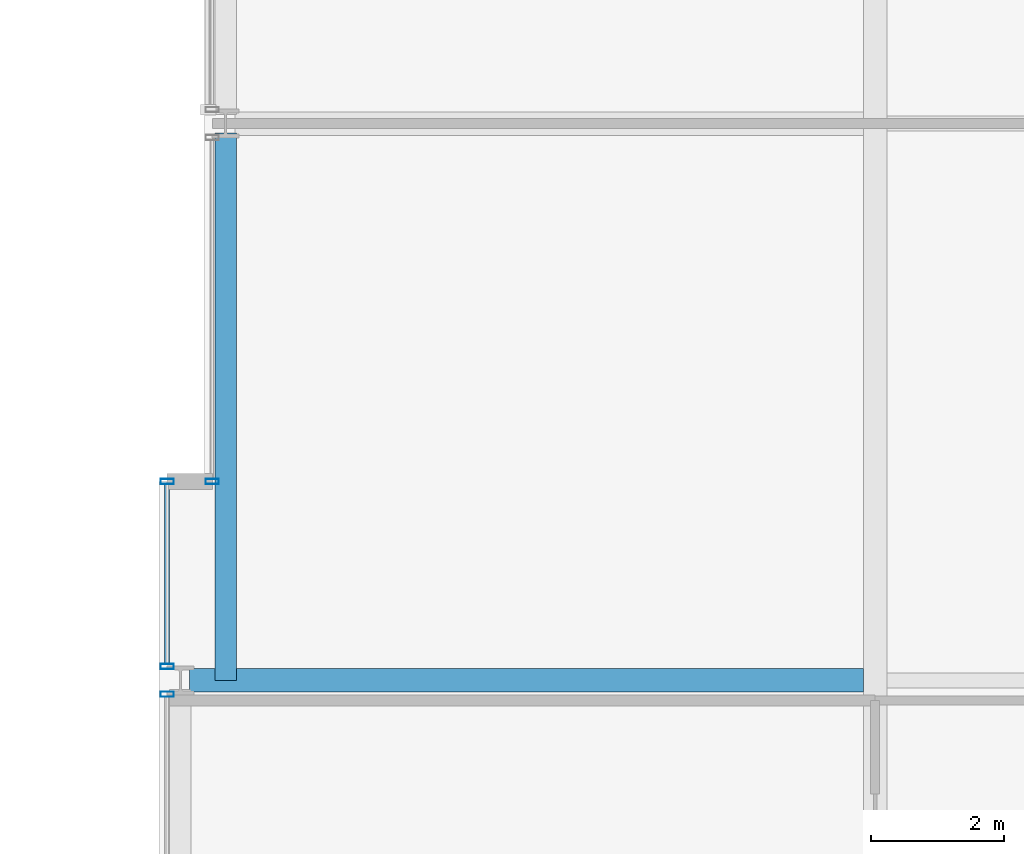
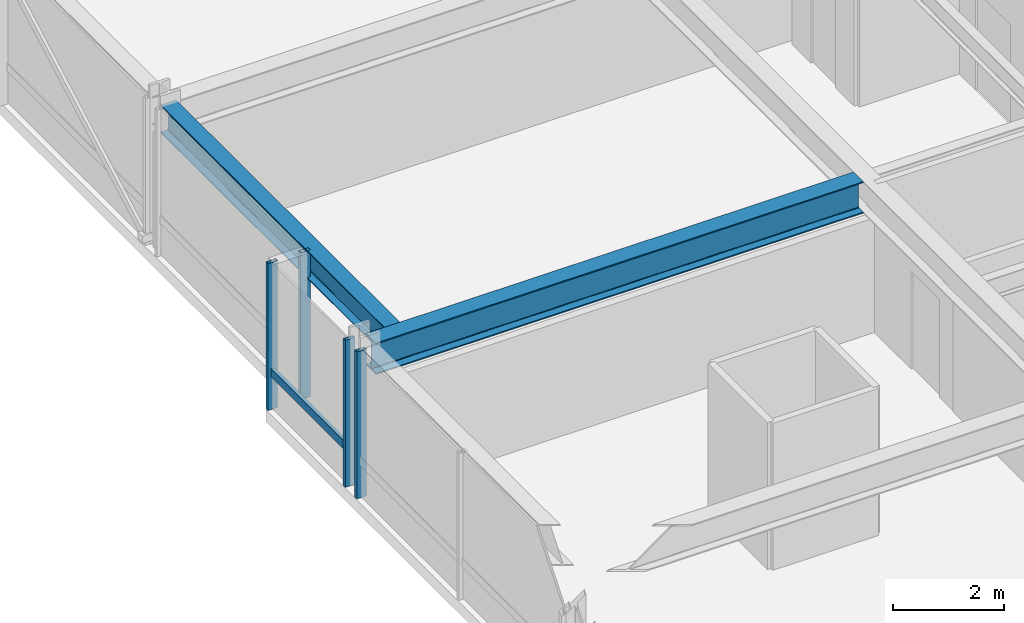
# One storey, part 7 of 35: 5 members, 2 beams, 3 elements without a shape of their own.
"""IFC4 building model written with IfcOpenShell, lengths in metres."""

from ifc_helpers import new_model, si_unit, direction, frame, origin, origin_2d, place, context, subcontext, project, spatial, hollow_rectangle, i_section, extrude, material, layer, layer_set, material_profile, profile_set, type_object, element, aggregate, save


model = new_model("IFC4")

# Units and contexts
model_context = context("Model", 3, precision=1e-05, world=origin(), true_north=direction((0.0, 1.0)))
body_context = subcontext(model_context, "Body", "Model", "MODEL_VIEW")
ifc_project = project(units=[si_unit("LENGTHUNIT", "METRE"), si_unit("AREAUNIT", "SQUARE_METRE"), si_unit("VOLUMEUNIT", "CUBIC_METRE"), si_unit("PLANEANGLEUNIT", "RADIAN"), si_unit("MASSUNIT", "GRAM", prefix="KILO")], contexts=[model_context])

# Site, building, storey
site_placement = place(None, origin())
site = spatial("IfcSite", under=ifc_project, at=site_placement, CompositionType="ELEMENT")
building_placement = place(site_placement, origin())
building = spatial("IfcBuilding", under=site, at=building_placement, Name="Drelvath Grand Hotel", CompositionType="ELEMENT")
storey_placement = place(building_placement, frame((0.0, 0.0, 130.300048828125)))
storey = spatial("IfcBuildingStorey", under=building, at=storey_placement, Name="L33", CompositionType="ELEMENT", Elevation=130.300048828125)

# Curtain wall, member
ifc_material_1 = material(Name="Champagne Bronze Anodised Aluminium Frame", Category="aluminium")
ifc_layer = layer(ifc_material_1, 0.199951171875)
ifc_layer_set = layer_set([ifc_layer], Name="Champagne Bronze Anodised Aluminium Frame")
curtain_wall_type = type_object("IfcCurtainWallType", Name="Stick Curtain Wall CW-03 Champagne Bronze Mid-Rise", PredefinedType="NOTDEFINED", material=ifc_layer_set)
curtain_wall_1_placement = place(storey_placement, origin())
curtain_wall_1 = element("IfcCurtainWall", 1, at=curtain_wall_1_placement, inside=storey, type_object=curtain_wall_type, Name="L33 CW-03 Curtain Wall CW03-L33-WS3", PredefinedType="NOTDEFINED")
ifc_material_profile_1 = material_profile(ifc_material_1, hollow_rectangle(XDim=0.074951171875, YDim=0.179931640625, WallThickness=0.0048828125, at=origin_2d()), Name="HSS180X75X5")
ifc_profile_set_1 = profile_set([ifc_material_profile_1], Name="Champagne Bronze Anodised Aluminium Frame")
member_type_1 = type_object("IfcMemberType", Name="Curtain Wall Horizontal Transom CW-03 HSS180X75X5", PredefinedType="USERDEFINED", material=ifc_profile_set_1)
member_1_placement = place(storey_placement, frame((-26.8798828125, 18.849365234375, 0.81005859375), z_axis=(0.0, 1.0, 0.0), x_axis=(-1.0, 0.0, 0.0)))
member_1 = element("IfcMember", 2, at=member_1_placement, type_object=member_type_1, Name="CW03-L33-WS3 Sill Transom", ObjectType="TRANSOM", PredefinedType="USERDEFINED", context=body_context, shape_type="SweptSolid", body=[
    extrude(hollow_rectangle(XDim=0.074951171875, YDim=0.179931640625, WallThickness=0.0048828125, at=origin_2d()), origin(), (0.0, 0.0, 1.0), 2.710693359375),
])

curtain_wall_2_placement = place(storey_placement, origin())
curtain_wall_2 = element("IfcCurtainWall", 3, at=curtain_wall_2_placement, inside=storey, type_object=curtain_wall_type, Name="L33 CW-03 Curtain Wall CW03-L33-WS2", PredefinedType="NOTDEFINED")
ifc_material_profile_2 = material_profile(ifc_material_1, hollow_rectangle(XDim=0.080078125, YDim=0.199951171875, WallThickness=0.0048828125, at=origin_2d()), Name="HSS200X80X5")
ifc_profile_set_2 = profile_set([ifc_material_profile_2], Name="Champagne Bronze Anodised Aluminium Frame")
member_type_2 = type_object("IfcMemberType", Name="Curtain Wall Vertical Mullion CW-03 HSS200X80X5", PredefinedType="MULLION", material=ifc_profile_set_2)
member_2_placement = place(storey_placement, frame((-26.8798828125, 18.390625, 0.0), z_axis=(0.0, 0.0, 1.0), x_axis=(0.0, 1.0, 0.0)))
member_2 = element("IfcMember", 4, at=member_2_placement, type_object=member_type_2, Name="CW03-L33-WS2 Mullion 3", PredefinedType="MULLION", context=body_context, shape_type="SweptSolid", body=[
    extrude(hollow_rectangle(XDim=0.080078125, YDim=0.199951171875, WallThickness=0.0048828125, at=origin_2d()), origin(), (0.0, 0.0, 1.0), 3.239990234375),
])
aggregate(curtain_wall_2, [member_2])

# Member
member_3_placement = place(storey_placement, frame((-26.8798828125, 18.809326171875, 0.0), z_axis=(0.0, 0.0, 1.0), x_axis=(0.0, 1.0, 0.0)))
member_3 = element("IfcMember", 5, at=member_3_placement, type_object=member_type_2, Name="CW03-L33-WS3 Mullion 1", PredefinedType="MULLION", context=body_context, shape_type="SweptSolid", body=[
    extrude(hollow_rectangle(XDim=0.080078125, YDim=0.199951171875, WallThickness=0.0048828125, at=origin_2d()), origin(), (0.0, 0.0, 1.0), 3.239990234375),
])

member_4_placement = place(storey_placement, frame((-26.8798828125, 21.60009765625, 0.0), z_axis=(0.0, 0.0, 1.0), x_axis=(0.0, 1.0, 0.0)))
member_4 = element("IfcMember", 6, at=member_4_placement, type_object=member_type_2, Name="CW03-L33-WS3 Mullion 2", PredefinedType="MULLION", context=body_context, shape_type="SweptSolid", body=[
    extrude(hollow_rectangle(XDim=0.080078125, YDim=0.199951171875, WallThickness=0.0048828125, at=origin_2d()), origin(), (0.0, 0.0, 1.0), 3.239990234375),
])

aggregate(curtain_wall_1, [member_3, member_4, member_1])

# Curtain wall, member
curtain_wall_3_placement = place(storey_placement, origin())
curtain_wall_3 = element("IfcCurtainWall", 7, at=curtain_wall_3_placement, inside=storey, type_object=curtain_wall_type, Name="L33 CW-03 Curtain Wall CW03-L33-WM1", PredefinedType="NOTDEFINED")
member_5_placement = place(storey_placement, frame((-26.199951171875, 21.60009765625, 0.0), z_axis=(0.0, 0.0, 1.0), x_axis=(0.0, 1.0, 0.0)))
member_5 = element("IfcMember", 8, at=member_5_placement, type_object=member_type_2, Name="CW03-L33-WM1 Mullion 1", PredefinedType="MULLION", context=body_context, shape_type="SweptSolid", body=[
    extrude(hollow_rectangle(XDim=0.080078125, YDim=0.199951171875, WallThickness=0.0048828125, at=origin_2d()), origin(), (0.0, 0.0, 1.0), 3.239990234375),
])
aggregate(curtain_wall_3, [member_5])

# Beams
ifc_material_2 = material(Name="Steel ASTM A992 Gr 50", Category="steel")
ifc_material_profile_3 = material_profile(ifc_material_2, i_section(OverallWidth=0.323974609375, OverallDepth=0.611083984375, WebThickness=0.0126953125, FlangeThickness=0.01904296875, FilletRadius=0.02197265625, at=origin_2d()), Name="W24X104")
ifc_profile_set_3 = profile_set([ifc_material_profile_3], Name="Steel ASTM A992 Gr 50")
beam_type_1 = type_object("IfcBeamType", Name="Perimeter Spandrel Beam W24X104", PredefinedType="SPANDREL", material=ifc_profile_set_3)
beam_1_placement = place(storey_placement, frame((-26.0, 18.60009765625, 2.934326171875), z_axis=(0.0, 1.0, 0.0), x_axis=(-1.0, 0.0, 0.0)))
element("IfcBeam", 9, at=beam_1_placement, inside=storey, type_object=beam_type_1, Name="L33 Spandrel West Mid S", PredefinedType="SPANDREL", context=body_context, shape_type="SweptSolid", body=[
    extrude(i_section(OverallWidth=0.323974609375, OverallDepth=0.611083984375, WebThickness=0.0126953125, FlangeThickness=0.01904296875, FilletRadius=0.02197265625, at=origin_2d()), origin(), (0.0, 0.0, 1.0), 8.260009765625),
])
ifc_material_profile_4 = material_profile(ifc_material_2, i_section(OverallWidth=0.354736328125, OverallDepth=0.695556640625, WebThickness=0.015380859375, FlangeThickness=0.025146484375, FilletRadius=0.02392578125, at=origin_2d()), Name="W27X146")
ifc_profile_set_4 = profile_set([ifc_material_profile_4], Name="Steel ASTM A992 Gr 50")
beam_type_2 = type_object("IfcBeamType", Name="Primary Floor Girder W27X146", PredefinedType="BEAM", material=ifc_profile_set_4)
beam_2_placement = place(storey_placement, frame((-26.5400390625, 18.60009765625, 2.892333984375), z_axis=(1.0, 0.0, 0.0), x_axis=(0.0, 1.0, 0.0)))
element("IfcBeam", 10, at=beam_2_placement, inside=storey, type_object=beam_type_2, Name="L33 West Wing Girder D", PredefinedType="BEAM", context=body_context, shape_type="SweptSolid", body=[
    extrude(i_section(OverallWidth=0.354736328125, OverallDepth=0.695556640625, WebThickness=0.015380859375, FlangeThickness=0.025146484375, FilletRadius=0.02392578125, at=origin_2d()), origin(), (0.0, 0.0, 1.0), 10.16259765625),
])

save(model, "model.ifc")
